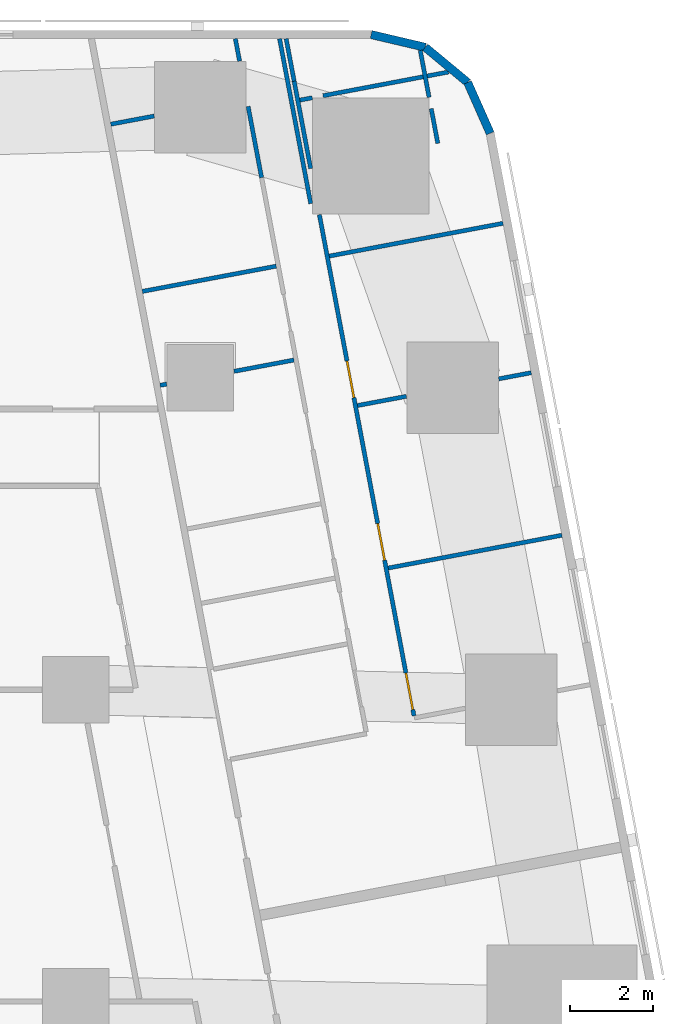
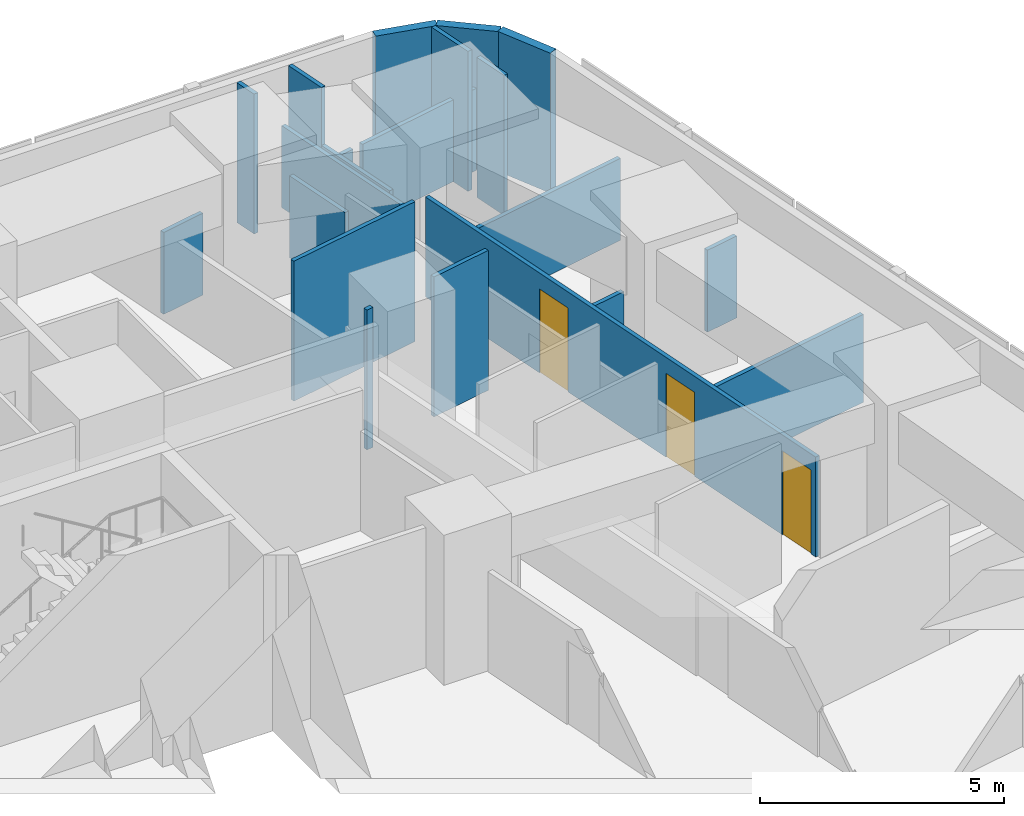
# One storey, part 10 of 15: 21 walls, 3 doors, 3 openings.
"""IFC4 building model written with IfcOpenShell, lengths in metres."""

from ifc_helpers import new_model, si_unit, direction, frame, frame_2d, origin, place, context, subcontext, project, spatial, rectangle, extrude, material, layer, layer_set, type_object, element, fill, save


model = new_model("IFC4")

# Units and contexts
model_context = context("Model", 3, precision=1e-05, world=origin(), true_north=direction((0.0, 1.0)))
body_context = subcontext(model_context, "Body", "Model", "MODEL_VIEW")
ifc_project = project(units=[si_unit("LENGTHUNIT", "METRE"), si_unit("AREAUNIT", "SQUARE_METRE"), si_unit("VOLUMEUNIT", "CUBIC_METRE"), si_unit("PLANEANGLEUNIT", "RADIAN"), si_unit("MASSUNIT", "GRAM", prefix="KILO")], contexts=[model_context])

# Site, building, storey
site_placement = place(None, origin())
site = spatial("IfcSite", under=ifc_project, at=site_placement, CompositionType="ELEMENT")
building_placement = place(site_placement, origin())
building = spatial("IfcBuilding", under=site, at=building_placement, Name="Sheger Commons Tower", CompositionType="ELEMENT")
storey_placement = place(building_placement, frame((0.0, 0.0, 77.89990234375)))
storey = spatial("IfcBuildingStorey", under=building, at=storey_placement, Name="L19", CompositionType="ELEMENT", Elevation=77.89990234375)

# Walls
ifc_material_1 = material(Name="Rendered concrete block masonry, dark grey", Category="masonry")
ifc_layer_1 = layer(ifc_material_1, 0.199951171875)
ifc_layer_set_1 = layer_set([ifc_layer_1], Name="FACADE WALL 200")
wall_type_1 = type_object("IfcWallType", Name="FACADE WALL 200", PredefinedType="SOLIDWALL", material=ifc_layer_set_1)
wall_1_placement = place(storey_placement, frame((42.969970703125, 43.376953125, 0.0), z_axis=(0.0, 0.0, 1.0), x_axis=(-0.406002956633, 0.913871762998, 0.0)))
element("IfcWall", 1, at=wall_1_placement, inside=storey, type_object=wall_type_1, Name="Facade wall L19", PredefinedType="SOLIDWALL", context=body_context, shape_type="SweptSolid", body=[
    extrude(rectangle(XDim=1.33740234375, YDim=0.199951171875, at=frame_2d((0.668701171875, 0.0))), origin(), (0.0, 0.0, 1.0), 3.5),
])
wall_2_placement = place(storey_placement, frame((42.427001953125, 44.59912109375, 0.0), z_axis=(0.0, 0.0, 1.0), x_axis=(-0.770091412544, 0.637933551655, 0.0)))
element("IfcWall", 2, at=wall_2_placement, inside=storey, type_object=wall_type_1, Name="Facade wall L19", PredefinedType="SOLIDWALL", context=body_context, shape_type="SweptSolid", body=[
    extrude(rectangle(XDim=1.324462890625, YDim=0.199951171875, at=frame_2d((0.662109375, 0.0))), origin(), (0.0, 0.0, 1.0), 3.5),
])
wall_3_placement = place(storey_placement, frame((41.406982421875, 45.444091796875, 0.0), z_axis=(0.0, 0.0, 1.0), x_axis=(-0.973453091607, 0.228886606077, 0.0)))
element("IfcWall", 3, at=wall_3_placement, inside=storey, type_object=wall_type_1, Name="Facade wall L19", PredefinedType="SOLIDWALL", context=body_context, shape_type="SweptSolid", body=[
    extrude(rectangle(XDim=1.33642578125, YDim=0.199951171875, at=frame_2d((0.668212890625, 0.0))), origin(), (0.0, 0.0, 1.0), 3.5),
])
ifc_material_2 = material(Name="Gypsum board on steel studs", Category="steel")
ifc_layer_2 = layer(ifc_material_2, 0.10009765625)
ifc_layer_set_2 = layer_set([ifc_layer_2], Name="PARTITION 100")
wall_type_2 = type_object("IfcWallType", Name="PARTITION 100", PredefinedType="PARTITIONING", material=ifc_layer_set_2)
wall_4_placement = place(storey_placement, frame((38.654052734375, 41.68603515625, 0.0), z_axis=(0.0, 0.0, 1.0), x_axis=(-0.185676896978, 0.982610853761, 0.0)))
element("IfcWall", 4, at=wall_4_placement, inside=storey, type_object=wall_type_2, Name="Partition L19", PredefinedType="PARTITIONING", context=body_context, shape_type="SweptSolid", body=[
    extrude(rectangle(XDim=4.033935546875, YDim=0.10009765625, at=frame_2d((2.01708984375, 0.0))), origin(), (0.0, 0.0, 1.0), 2.050048828125),
])
wall_5_placement = place(storey_placement, frame((41.287109375, 45.3701171875, 0.0), z_axis=(0.0, 0.0, 1.0), x_axis=(0.185121628323, -0.982715616405, 0.0)))
element("IfcWall", 5, at=wall_5_placement, inside=storey, type_object=wall_type_2, Name="Partition L19", PredefinedType="PARTITIONING", context=body_context, shape_type="SweptSolid", body=[
    extrude(rectangle(XDim=1.14990234375, YDim=0.10009765625, at=frame_2d((0.574951171875, 0.0))), origin(), (0.0, 0.0, 1.0), 3.5),
])
wall_6_placement = place(storey_placement, frame((41.551025390625, 43.968994140625, 0.0), z_axis=(0.0, 0.0, 1.0), x_axis=(0.185884171512, -0.982571663942, 0.0)))
element("IfcWall", 6, at=wall_6_placement, inside=storey, type_object=wall_type_2, Name="Partition L19", PredefinedType="PARTITIONING", context=body_context, shape_type="SweptSolid", body=[
    extrude(rectangle(XDim=0.849853515625, YDim=0.10009765625, at=frame_2d((0.4248046875, 0.0))), origin(), (0.0, 0.0, 1.0), 3.5),
])
wall_7_placement = place(storey_placement, frame((38.06298828125, 45.64990234375, 0.0), z_axis=(0.0, 0.0, 1.0), x_axis=(0.185677287841, -0.982610779902, 0.0)))
element("IfcWall", 7, at=wall_7_placement, inside=storey, type_object=wall_type_2, Name="Partition L19", PredefinedType="PARTITIONING", context=body_context, shape_type="SweptSolid", body=[
    extrude(rectangle(XDim=1.0400390625, YDim=0.10009765625, at=frame_2d((0.52001953125, 0.0))), origin(), (0.0, 0.0, 1.0), 3.5),
])
wall_8_placement = place(storey_placement, frame((38.256103515625, 44.6279296875, 0.0), z_axis=(0.0, 0.0, 1.0), x_axis=(0.185757524649, -0.982595614704, 0.0)))
element("IfcWall", 8, at=wall_8_placement, inside=storey, type_object=wall_type_2, Name="Partition L19", PredefinedType="PARTITIONING", context=body_context, shape_type="SweptSolid", body=[
    extrude(rectangle(XDim=2.136962890625, YDim=0.10009765625, at=frame_2d((1.068359375, 0.0))), origin(), (0.0, 0.0, 1.0), 2.050048828125),
])

# Wall, openings, doors
wall_9_placement = place(storey_placement, frame((38.862060546875, 41.419921875, 0.0), z_axis=(0.0, 0.0, 1.0), x_axis=(0.185529020159, -0.982638785454, 0.0)))
wall_9 = element("IfcWall", 9, at=wall_9_placement, inside=storey, type_object=wall_type_2, Name="Partition L19", PredefinedType="PARTITIONING", context=body_context, shape_type="SweptSolid", body=[
    extrude(rectangle(XDim=12.26171875, YDim=0.10009765625, at=frame_2d((6.130859375, 0.0))), origin(), (0.0, 0.0, 1.0), 2.5),
])
opening_1_placement = place(wall_9_placement, frame((11.2119140625, 0.0, 0.0)))
opening_1 = element("IfcOpeningElement", 10, at=opening_1_placement, cuts=wall_9, Name="Opening D2", PredefinedType="OPENING", context=body_context, shape_type="SweptSolid", body=[
    extrude(rectangle(XDim=0.89990234375, YDim=2.10009765625, at=frame_2d((0.449951171875, 1.050048828125))), frame((0.0, 0.06005859375, 0.0), z_axis=(0.0, -1.0, 0.0), x_axis=(1.0, 0.0, 0.0)), (0.0, 0.0, 1.0), 0.1201171875),
])
opening_2_placement = place(wall_9_placement, frame((7.554931640625, 0.0, 0.0)))
opening_2 = element("IfcOpeningElement", 11, at=opening_2_placement, cuts=wall_9, Name="Opening D2", PredefinedType="OPENING", context=body_context, shape_type="SweptSolid", body=[
    extrude(rectangle(XDim=0.89990234375, YDim=2.10009765625, at=frame_2d((0.449951171875, 1.050048828125))), frame((0.0, 0.06005859375, 0.0), z_axis=(0.0, -1.0, 0.0), x_axis=(1.0, 0.0, 0.0)), (0.0, 0.0, 1.0), 0.1201171875),
])
opening_3_placement = place(wall_9_placement, frame((3.5791015625, 0.0, 0.0)))
opening_3 = element("IfcOpeningElement", 12, at=opening_3_placement, cuts=wall_9, Name="Opening D2", PredefinedType="OPENING", context=body_context, shape_type="SweptSolid", body=[
    extrude(rectangle(XDim=0.89990234375, YDim=2.10009765625, at=frame_2d((0.449951171875, 1.050048828125))), frame((0.0, 0.06005859375, 0.0), z_axis=(0.0, -1.0, 0.0), x_axis=(1.0, 0.0, 0.0)), (0.0, 0.0, 1.0), 0.1201171875),
])
ifc_material_3 = material(Name="Timber door set", Category="wood")
door_type = type_object("IfcDoorType", Name="INTERNAL DOOR 900x2100", OperationType="NOTDEFINED", PredefinedType="DOOR", material=ifc_material_3)
door_1_placement = place(opening_1_placement, origin())
door_1 = element("IfcDoor", 13, at=door_1_placement, inside=storey, type_object=door_type, Name="Main bedroom door", OperationType="SINGLE_SWING_RIGHT", OverallHeight=2.10009765625, OverallWidth=0.89990234375, PredefinedType="DOOR", context=body_context, shape_type="SweptSolid", body=[
    extrude(rectangle(XDim=0.89990234375, YDim=2.10009765625, at=frame_2d((0.449951171875, 1.050048828125))), frame((0.0, 0.02490234375, 0.0), z_axis=(0.0, -1.0, 0.0), x_axis=(1.0, 0.0, 0.0)), (0.0, 0.0, 1.0), 0.050048828125),
])
fill(opening_1, door_1)
door_2_placement = place(opening_2_placement, origin())
door_2 = element("IfcDoor", 14, at=door_2_placement, inside=storey, type_object=door_type, Name="Bedroom 2 door", OperationType="SINGLE_SWING_RIGHT", OverallHeight=2.10009765625, OverallWidth=0.89990234375, PredefinedType="DOOR", context=body_context, shape_type="SweptSolid", body=[
    extrude(rectangle(XDim=0.89990234375, YDim=2.10009765625, at=frame_2d((0.449951171875, 1.050048828125))), frame((0.0, 0.02490234375, 0.0), z_axis=(0.0, -1.0, 0.0), x_axis=(1.0, 0.0, 0.0)), (0.0, 0.0, 1.0), 0.050048828125),
])
fill(opening_2, door_2)
door_3_placement = place(opening_3_placement, origin())
door_3 = element("IfcDoor", 15, at=door_3_placement, inside=storey, type_object=door_type, Name="Bedroom 3 door", OperationType="SINGLE_SWING_RIGHT", OverallHeight=2.10009765625, OverallWidth=0.89990234375, PredefinedType="DOOR", context=body_context, shape_type="SweptSolid", body=[
    extrude(rectangle(XDim=0.89990234375, YDim=2.10009765625, at=frame_2d((0.449951171875, 1.050048828125))), frame((0.0, 0.02490234375, 0.0), z_axis=(0.0, -1.0, 0.0), x_axis=(1.0, 0.0, 0.0)), (0.0, 0.0, 1.0), 0.050048828125),
])
fill(opening_3, door_3)

# Walls
wall_10_placement = place(storey_placement, frame((36.842041015625, 45.64990234375, 0.0), z_axis=(0.0, 0.0, 1.0), x_axis=(0.185764109712, -0.98259436979, 0.0)))
element("IfcWall", 16, at=wall_10_placement, inside=storey, type_object=wall_type_2, Name="Partition L19", PredefinedType="PARTITIONING", context=body_context, shape_type="SweptSolid", body=[
    extrude(rectangle(XDim=0.54931640625, YDim=0.10009765625, at=frame_2d((0.274658203125, 0.0))), origin(), (0.0, 0.0, 1.0), 3.5),
])
wall_11_placement = place(storey_placement, frame((37.14892578125, 44.02197265625, 0.0), z_axis=(0.0, 0.0, 1.0), x_axis=(0.185844162065, -0.982579232137, 0.0)))
element("IfcWall", 17, at=wall_11_placement, inside=storey, type_object=wall_type_2, Name="Partition L19", PredefinedType="PARTITIONING", context=body_context, shape_type="SweptSolid", body=[
    extrude(rectangle(XDim=1.7431640625, YDim=0.10009765625, at=frame_2d((0.87158203125, 0.0))), origin(), (0.0, 0.0, 1.0), 2.050048828125),
])
wall_12_placement = place(storey_placement, frame((41.968017578125, 44.85009765625, 0.0), z_axis=(0.0, 0.0, 1.0), x_axis=(-0.982566714195, -0.185910333644, 0.0)))
element("IfcWall", 18, at=wall_12_placement, inside=storey, type_object=wall_type_2, Name="Partition L19", PredefinedType="PARTITIONING", context=body_context, shape_type="SweptSolid", body=[
    extrude(rectangle(XDim=3.071533203125, YDim=0.10009765625, at=frame_2d((1.53564453125, 0.0))), origin(), (0.0, 0.0, 1.0), 2.050048828125),
])
wall_13_placement = place(storey_placement, frame((38.69189453125, 44.22998046875, 0.0), z_axis=(0.0, 0.0, 1.0), x_axis=(-0.982944840311, -0.183900627803, 0.0)))
element("IfcWall", 19, at=wall_13_placement, inside=storey, type_object=wall_type_2, Name="Partition L19", PredefinedType="PARTITIONING", context=body_context, shape_type="SweptSolid", body=[
    extrude(rectangle(XDim=0.303955078125, YDim=0.10009765625, at=frame_2d((0.15185546875, 0.0))), origin(), (0.0, 0.0, 1.0), 2.050048828125),
])
wall_14_placement = place(storey_placement, frame((43.277099609375, 41.2119140625, 0.0), z_axis=(0.0, 0.0, 1.0), x_axis=(-0.982665405803, -0.185387972203, 0.0)))
element("IfcWall", 20, at=wall_14_placement, inside=storey, type_object=wall_type_2, Name="Partition L19", PredefinedType="PARTITIONING", context=body_context, shape_type="SweptSolid", body=[
    extrude(rectangle(XDim=4.249755859375, YDim=0.10009765625, at=frame_2d((2.125, 0.0))), origin(), (0.0, 0.0, 1.0), 2.050048828125),
])
wall_15_placement = place(storey_placement, frame((43.955078125, 37.6201171875, 0.0), z_axis=(0.0, 0.0, 1.0), x_axis=(-0.98247004097, -0.186420542316, 0.0)))
element("IfcWall", 21, at=wall_15_placement, inside=storey, type_object=wall_type_2, Name="Partition L19", PredefinedType="PARTITIONING", context=body_context, shape_type="SweptSolid", body=[
    extrude(rectangle(XDim=0.794921875, YDim=0.10009765625, at=frame_2d((0.3974609375, 0.0))), origin(), (0.0, 0.0, 1.0), 2.050048828125),
])
wall_16_placement = place(storey_placement, frame((40.9541015625, 37.052978515625, 0.0), z_axis=(0.0, 0.0, 1.0), x_axis=(-0.982628652346, -0.185582681276, 0.0)))
element("IfcWall", 22, at=wall_16_placement, inside=storey, type_object=wall_type_2, Name="Partition L19", PredefinedType="PARTITIONING", context=body_context, shape_type="SweptSolid", body=[
    extrude(rectangle(XDim=1.19580078125, YDim=0.10009765625, at=frame_2d((0.597900390625, 0.0))), origin(), (0.0, 0.0, 1.0), 2.050048828125),
])
wall_17_placement = place(storey_placement, frame((44.693115234375, 33.712890625, 0.0), z_axis=(0.0, 0.0, 1.0), x_axis=(-0.982623519589, -0.185609856287, 0.0)))
element("IfcWall", 23, at=wall_17_placement, inside=storey, type_object=wall_type_2, Name="Partition L19", PredefinedType="PARTITIONING", context=body_context, shape_type="SweptSolid", body=[
    extrude(rectangle(XDim=4.249755859375, YDim=0.10009765625, at=frame_2d((2.125, 0.0))), origin(), (0.0, 0.0, 1.0), 2.2001953125),
])
wall_18_placement = place(storey_placement, frame((34.889892578125, 43.791015625, 0.0), z_axis=(0.0, 0.0, 1.0), x_axis=(-0.982621304855, -0.185621580763, 0.0)))
element("IfcWall", 24, at=wall_18_placement, inside=storey, type_object=wall_type_2, Name="Partition L19", PredefinedType="PARTITIONING", context=body_context, shape_type="SweptSolid", body=[
    extrude(rectangle(XDim=1.0615234375, YDim=0.10009765625, at=frame_2d((0.53076171875, 0.0))), origin(), (0.0, 0.0, 1.0), 2.050048828125),
])
wall_19_placement = place(storey_placement, frame((37.823974609375, 40.181884765625, 0.0), z_axis=(0.0, 0.0, 1.0), x_axis=(-0.982674977865, -0.185337227447, 0.0)))
element("IfcWall", 25, at=wall_19_placement, inside=storey, type_object=wall_type_2, Name="Partition L19", PredefinedType="PARTITIONING", context=body_context, shape_type="SweptSolid", body=[
    extrude(rectangle(XDim=3.274658203125, YDim=0.10009765625, at=frame_2d((1.63720703125, 0.0))), origin(), (0.0, 0.0, 1.0), 3.5),
])
wall_20_placement = place(storey_placement, frame((38.25, 37.925048828125, 0.0), z_axis=(0.0, 0.0, 1.0), x_axis=(-0.982626127294, -0.185596050493, 0.0)))
element("IfcWall", 26, at=wall_20_placement, inside=storey, type_object=wall_type_2, Name="Partition L19", PredefinedType="PARTITIONING", context=body_context, shape_type="SweptSolid", body=[
    extrude(rectangle(XDim=1.46533203125, YDim=0.10009765625, at=frame_2d((0.732666015625, 0.0))), origin(), (0.0, 0.0, 1.0), 3.5),
])
wall_21_placement = place(storey_placement, frame((35.18994140625, 37.346923828125, 0.0), z_axis=(0.0, 0.0, 1.0), x_axis=(-0.982404955251, -0.186763229514, 0.0)))
element("IfcWall", 27, at=wall_21_placement, inside=storey, type_object=wall_type_2, Name="Partition L19", PredefinedType="PARTITIONING", context=body_context, shape_type="SweptSolid", body=[
    extrude(rectangle(XDim=0.160888671875, YDim=0.10009765625, at=frame_2d((0.08056640625, 0.0))), origin(), (0.0, 0.0, 1.0), 3.5),
])

save(model, "model.ifc")
